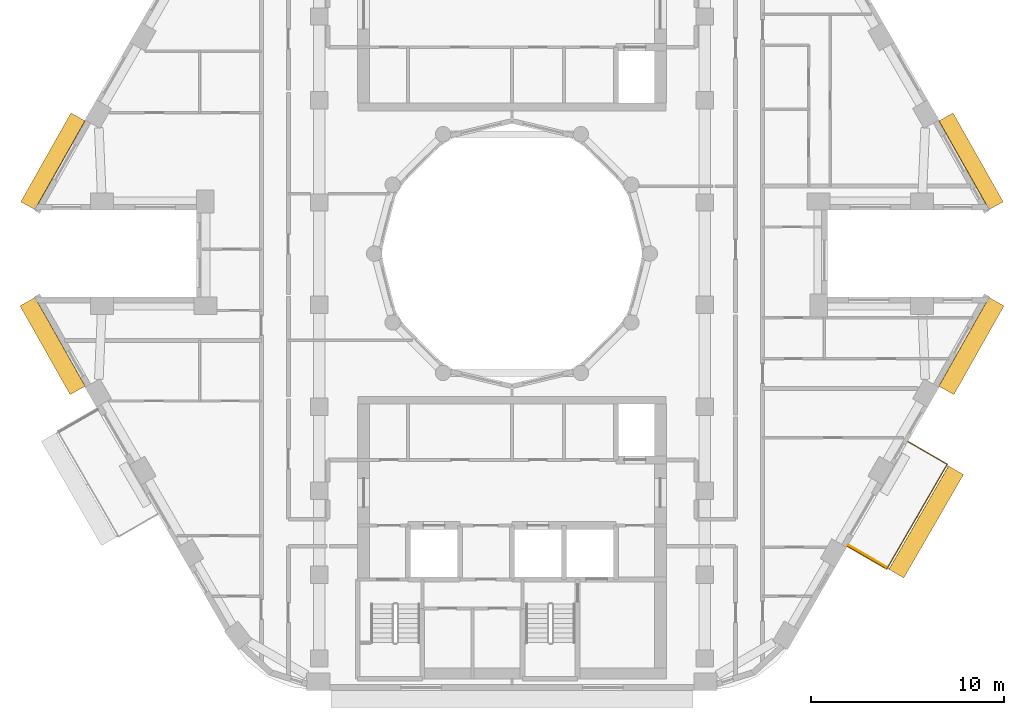
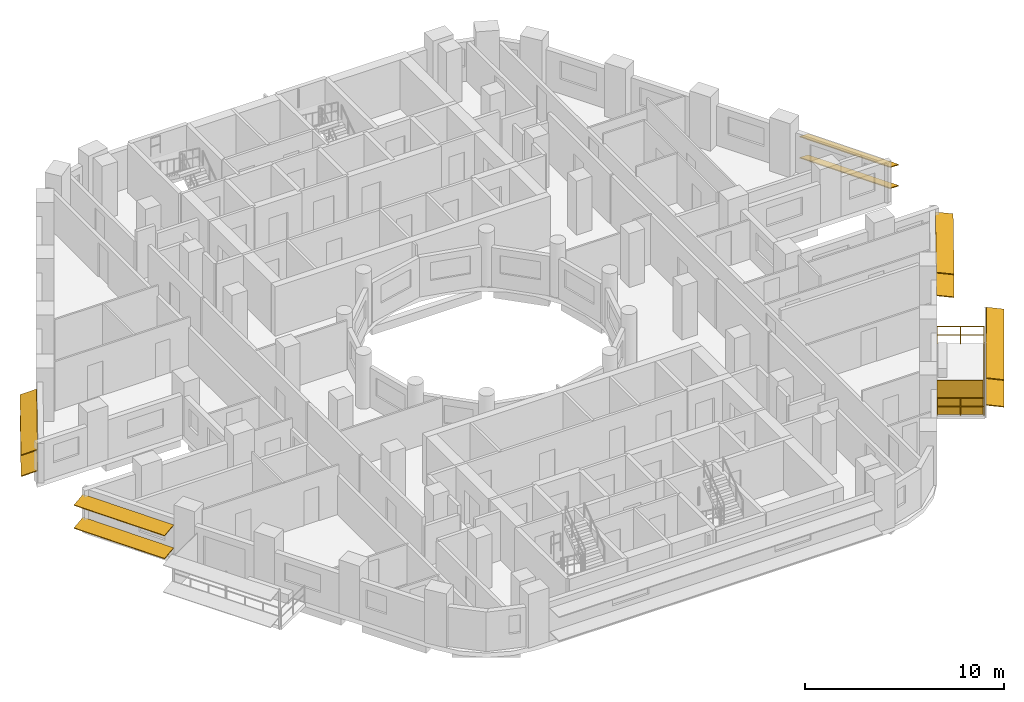
# One storey, part 15 of 16: 11 shading devices, 1 railing.
"""IFC4 building model written with IfcOpenShell, lengths in metres."""

from ifc_helpers import new_model, si_unit, direction, frame, origin, origin_2d, place, context, subcontext, project, spatial, rectangle, circle, extrude, material, layer, layer_set, material_profile, profile_set, type_object, element, save


model = new_model("IFC4")

# Units and contexts
model_context = context("Model", 3, precision=1e-05, world=origin(), true_north=direction((0.0, 1.0)))
body_context = subcontext(model_context, "Body", "Model", "MODEL_VIEW")
ifc_project = project(units=[si_unit("LENGTHUNIT", "METRE"), si_unit("AREAUNIT", "SQUARE_METRE"), si_unit("VOLUMEUNIT", "CUBIC_METRE"), si_unit("PLANEANGLEUNIT", "RADIAN"), si_unit("MASSUNIT", "GRAM", prefix="KILO")], contexts=[model_context])

# Site, building, storey
site_placement = place(None, origin())
site = spatial("IfcSite", under=ifc_project, at=site_placement, CompositionType="ELEMENT")
building_placement = place(site_placement, origin())
building = spatial("IfcBuilding", under=site, at=building_placement, Name="Nakaniwa Court", CompositionType="ELEMENT")
storey_placement = place(building_placement, frame((0.0, 0.0, 196.5)))
storey = spatial("IfcBuildingStorey", under=building, at=storey_placement, Name="L51", CompositionType="ELEMENT", Elevation=196.5)

# Railing
ifc_material_1 = material(Name="Black powder-coated steel flat bar balustrade S275", Category="steel")
railing_type = type_object("IfcRailingType", Name="Black metal balcony guard 1100", PredefinedType="GUARDRAIL", material=ifc_material_1)
railing_placement = place(storey_placement, frame((97.390869140625, 64.822021484375, -0.050048828125)))
element("IfcRailing", 1, at=railing_placement, inside=storey, type_object=railing_type, Name="L51 balcony guard 02", PredefinedType="GUARDRAIL", context=body_context, shape_type="SweptSolid", body=[
    extrude(circle(Radius=0.02392578125, at=origin_2d()), frame((0.0, 0.0, 1.076171875), z_axis=(0.866006432019, -0.500032858622, 0.0), x_axis=(0.500032858622, 0.866006432019, 0.0)), (0.0, 0.0, 1.0), 2.360107421875),
    extrude(circle(Radius=0.02392578125, at=origin_2d()), frame((0.0, 0.0, 0.550048828125), z_axis=(0.866006432019, -0.500032858622, 0.0), x_axis=(0.500032858622, 0.866006432019, 0.0)), (0.0, 0.0, 1.0), 2.360107421875),
    extrude(circle(Radius=0.02392578125, at=origin_2d()), frame((2.0439453125, -1.18017578125, 1.076171875), z_axis=(0.499990907215, 0.866030653443, 0.0), x_axis=(-0.866030653443, 0.499990907215, 0.0)), (0.0, 0.0, 1.0), 6.271484375),
    extrude(circle(Radius=0.02392578125, at=origin_2d()), frame((2.0439453125, -1.18017578125, 0.550048828125), z_axis=(0.499990907215, 0.866030653443, 0.0), x_axis=(-0.866030653443, 0.499990907215, 0.0)), (0.0, 0.0, 1.0), 6.271484375),
    extrude(circle(Radius=0.02392578125, at=origin_2d()), frame((5.1796875, 4.251220703125, 1.076171875), z_axis=(-0.865980564943, 0.500077655111, 0.0), x_axis=(-0.500077655111, -0.865980564943, 0.0)), (0.0, 0.0, 1.0), 2.35986328125),
    extrude(circle(Radius=0.02392578125, at=origin_2d()), frame((5.1796875, 4.251220703125, 0.550048828125), z_axis=(-0.865980564943, 0.500077655111, 0.0), x_axis=(-0.500077655111, -0.865980564943, 0.0)), (0.0, 0.0, 1.0), 2.35986328125),
    extrude(circle(Radius=0.02099609375, at=origin_2d()), origin(), (0.0, 0.0, 1.0), 1.052001953125),
    extrude(circle(Radius=0.02099609375, at=origin_2d()), frame((1.02197265625, -0.590087890625, 0.0)), (0.0, 0.0, 1.0), 1.052001953125),
    extrude(circle(Radius=0.02099609375, at=origin_2d()), frame((2.0439453125, -1.18017578125, 0.0)), (0.0, 0.0, 1.0), 1.052001953125),
    extrude(circle(Radius=0.02099609375, at=origin_2d()), frame((2.566650390625, -0.27490234375, 0.0)), (0.0, 0.0, 1.0), 1.052001953125),
    extrude(circle(Radius=0.02099609375, at=origin_2d()), frame((3.089111328125, 0.63037109375, 0.0)), (0.0, 0.0, 1.0), 1.052001953125),
    extrude(circle(Radius=0.02099609375, at=origin_2d()), frame((3.61181640625, 1.53564453125, 0.0)), (0.0, 0.0, 1.0), 1.052001953125),
    extrude(circle(Radius=0.02099609375, at=origin_2d()), frame((4.134521484375, 2.440673828125, 0.0)), (0.0, 0.0, 1.0), 1.052001953125),
    extrude(circle(Radius=0.02099609375, at=origin_2d()), frame((4.656982421875, 3.345947265625, 0.0)), (0.0, 0.0, 1.0), 1.052001953125),
    extrude(circle(Radius=0.02099609375, at=origin_2d()), frame((5.1796875, 4.251220703125, 0.0)), (0.0, 0.0, 1.0), 1.052001953125),
    extrude(circle(Radius=0.02099609375, at=origin_2d()), frame((4.15771484375, 4.84130859375, 0.0)), (0.0, 0.0, 1.0), 1.052001953125),
    extrude(circle(Radius=0.02099609375, at=origin_2d()), frame((3.135986328125, 5.431396484375, 0.0)), (0.0, 0.0, 1.0), 1.052001953125),
])

# Shading devices
ifc_material_2 = material(Name="Black powder-coated aluminium slat screen", Category="aluminium")
ifc_layer = layer(ifc_material_2, 0.0400390625)
ifc_layer_set = layer_set([ifc_layer], Name="Black powder-coated aluminium slat screen")
shading_device_type_1 = type_object("IfcShadingDeviceType", Name="Koshi screen black metal", PredefinedType="USERDEFINED", material=ifc_layer_set)
shading_device_placement = place(storey_placement, frame((98.43115234375, 64.313720703125, -0.050048828125), z_axis=(0.0, 0.0, 1.0), x_axis=(0.500016626402, 0.866015804314, 0.0)))
element("IfcShadingDevice", 2, at=shading_device_placement, inside=storey, type_object=shading_device_type_1, Name="L51 balcony SCREEN 02 W", ObjectType="KOSHI SCREEN", PredefinedType="USERDEFINED", context=body_context, shape_type="SweptSolid", body=[
    extrude(rectangle(XDim=0.0400390625, YDim=2.31005859375, at=origin_2d()), origin(), (0.0, 0.0, 1.0), 2.10009765625),
])
ifc_material_3 = material(Name="Perforated charcoal ceramic louvre blade")
ifc_material_profile = material_profile(ifc_material_3, rectangle(XDim=0.89990234375, YDim=0.050048828125, at=origin_2d()), Name="Perforated ceramic louvre blade")
ifc_profile_set = profile_set([ifc_material_profile], Name="Perforated charcoal ceramic louvre blade")
shading_device_type_2 = type_object("IfcShadingDeviceType", Name="Perforated ceramic louvre blade", PredefinedType="JALOUSIE", material=ifc_profile_set)
for number, where, z_axis, x_axis, name in (
    (3, (99.930419921875, 63.40185546875, 0.5), (0.500019400846, 0.866014202411, 0.0), (-0.858605330857, 0.495741665556, 0.13052619222), "L51 perforated ceramic louvre blade 02 1"),
    (4, (99.930419921875, 63.40185546875, 2.14990234375), (0.500019400846, 0.866014202411, 0.0), (-0.858605330857, 0.495741665556, 0.13052619222), "L51 perforated ceramic louvre blade 02 2"),
):
    element("IfcShadingDevice", number, at=place(storey_placement, frame(where, z_axis=z_axis, x_axis=x_axis)), inside=storey, type_object=shading_device_type_2, Name=name, PredefinedType="JALOUSIE", context=body_context, shape_type="SweptSolid", body=[
        extrude(rectangle(XDim=0.89990234375, YDim=0.050048828125, at=origin_2d()), origin(), (0.0, 0.0, 1.0), 6.191650390625),
    ])
for number, where, z_axis, x_axis, name in (
    (5, (105.103759765625, 82.480224609375, 0.550048828125), (-0.492005517921, 0.870592080331, 0.0), (-0.804902454764, -0.454881750109, 0.38107037635), "L51 perforated ceramic louvre blade w02 1"),
    (6, (105.103759765625, 82.480224609375, 1.845458984375), (-0.492005517921, 0.870592080331, 0.0), (-0.804902454764, -0.454881750109, 0.38107037635), "L51 perforated ceramic louvre blade w02 2"),
    (7, (57.497314453125, 87.082763671875, 0.550048828125), (-0.492005517921, -0.870592080331, 0.0), (0.804902454764, -0.454881750109, 0.38107037635), "L51 perforated ceramic louvre blade w14 1"),
    (8, (57.497314453125, 87.082763671875, 1.845458984375), (-0.492005517921, -0.870592080331, 0.0), (0.804902454764, -0.454881750109, 0.38107037635), "L51 perforated ceramic louvre blade w14 2"),
):
    element("IfcShadingDevice", number, at=place(storey_placement, frame(where, z_axis=z_axis, x_axis=x_axis)), inside=storey, type_object=shading_device_type_2, Name=name, PredefinedType="JALOUSIE", context=body_context, shape_type="SweptSolid", body=[
        extrude(rectangle(XDim=0.89990234375, YDim=0.050048828125, at=origin_2d()), origin(), (0.0, 0.0, 1.0), 5.28662109375),
    ])
for number, where, z_axis, x_axis, name in (
    (9, (54.87548828125, 77.508056640625, 0.550048828125), (0.492040518232, -0.870572299363, 0.0), (0.862924792041, 0.487718208105, 0.132256390257), "L51 perforated ceramic louvre blade w20 1"),
    (10, (54.87548828125, 77.508056640625, 1.955810546875), (0.492040518232, -0.870572299363, 0.0), (0.862924792041, 0.487718208105, 0.132256390257), "L51 perforated ceramic louvre blade w20 2"),
    (11, (102.523193359375, 72.905517578125, 0.550048828125), (0.492040518232, 0.870572299363, 0.0), (-0.862924792041, 0.487718208105, 0.132256390257), "L51 perforated ceramic louvre blade w32 1"),
    (12, (102.523193359375, 72.905517578125, 1.955810546875), (0.492040518232, 0.870572299363, 0.0), (-0.862924792041, 0.487718208105, 0.132256390257), "L51 perforated ceramic louvre blade w32 2"),
):
    element("IfcShadingDevice", number, at=place(storey_placement, frame(where, z_axis=z_axis, x_axis=x_axis)), inside=storey, type_object=shading_device_type_2, Name=name, PredefinedType="JALOUSIE", context=body_context, shape_type="SweptSolid", body=[
        extrude(rectangle(XDim=0.89990234375, YDim=0.050048828125, at=origin_2d()), origin(), (0.0, 0.0, 1.0), 5.286865234375),
    ])

save(model, "model.ifc")
